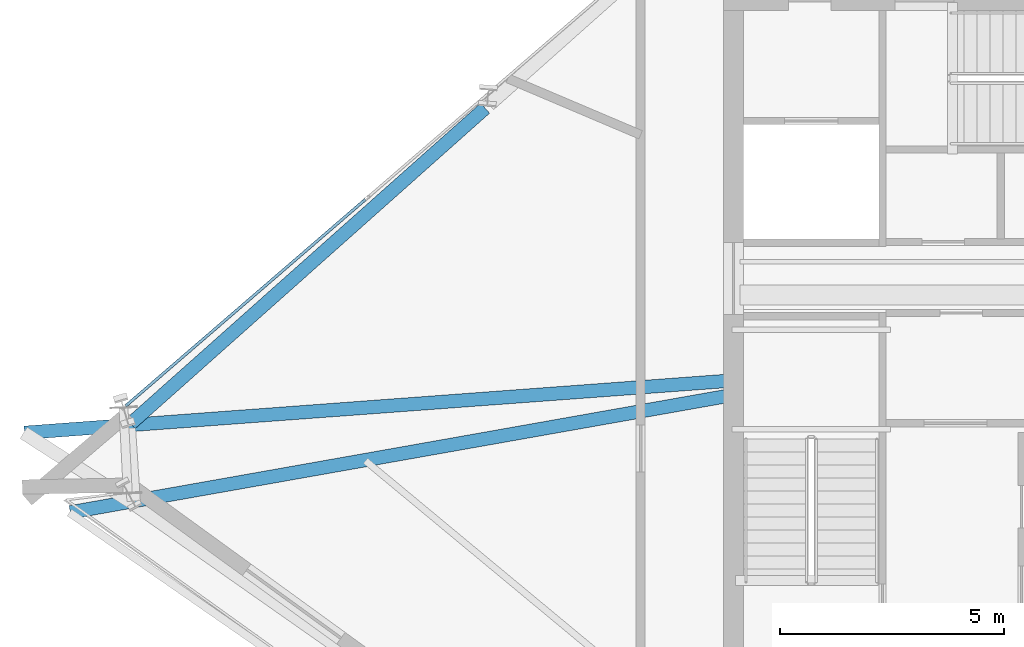
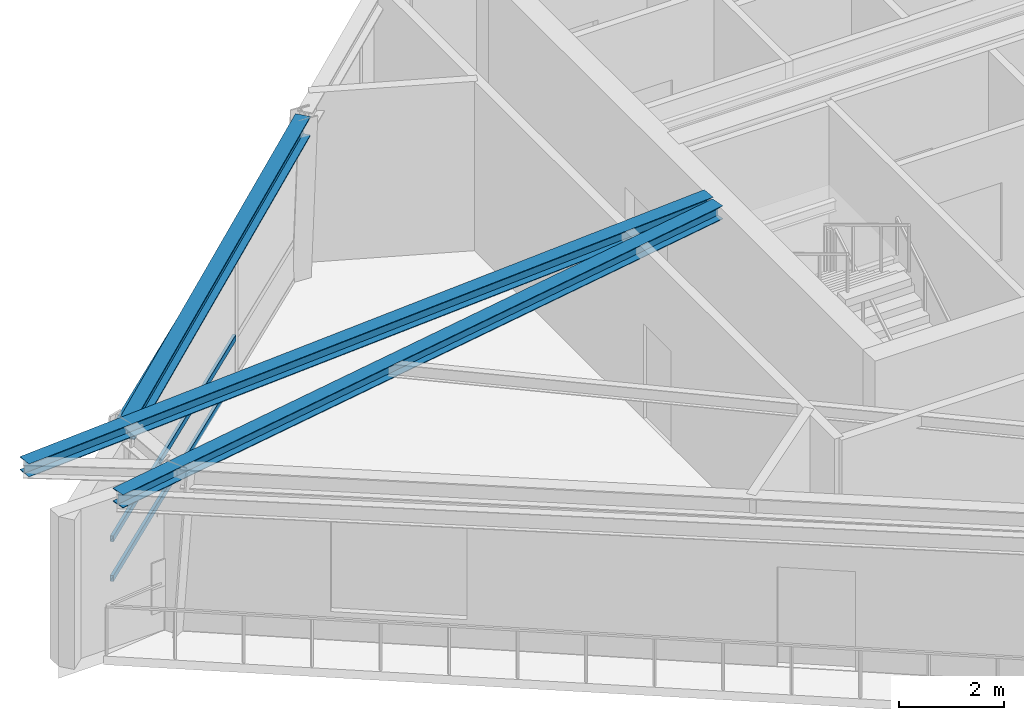
# One storey, part 7 of 22: 3 beams, 3 members, 1 element without a shape of its own.
"""IFC4 building model written with IfcOpenShell, lengths in metres."""

import ifcopenshell
import ifcopenshell.guid

model = None  # the IFC model being written
_history = None  # IfcOwnerHistory: only IFC2X3 demands one
_inside = {}  # id of a spatial element -> (the spatial element, [elements in it])
_under = {}  # id of a project, library or spatial element -> (it, [spatial elements below it])
_declared = {}  # id of a project -> (the project, [libraries it declares])
_typed = {}  # id of a type object -> (the type object, [elements of that type])
_made_of = {}  # id of a material, layer set ... -> (it, [elements and type objects made of it])


def new_model(schema):
    """Start an empty IFC model of exactly this schema.

    Asked for "IFC4X3", IfcOpenShell would pick the latest addendum, in which some entities
    have other attributes; the version numbers below select the first issue.
    IFC2X3 requires an IfcOwnerHistory on every rooted entity: one is made here for all.
    """
    global model, _history
    if schema == "IFC4X3":
        model = ifcopenshell.file(schema_version=(4, 3, 0, 0))
    else:
        model = ifcopenshell.file(schema=schema)
    _inside.clear()
    _under.clear()
    _declared.clear()
    _typed.clear()
    _made_of.clear()
    _history = None
    if model.schema == "IFC2X3":
        org = make("IfcOrganization", Name="unknown")
        user = make(
            "IfcPersonAndOrganization",
            ThePerson=make("IfcPerson", FamilyName="unknown"),
            TheOrganization=org,
        )
        app = make(
            "IfcApplication",
            ApplicationDeveloper=org,
            Version="unknown",
            ApplicationFullName="unknown",
            ApplicationIdentifier="unknown",
        )
        _history = make(
            "IfcOwnerHistory",
            OwningUser=user,
            OwningApplication=app,
            ChangeAction="ADDED",
            CreationDate=0,
        )
    return model


def make(cls, **values):
    """One entity of the class cls with the attributes given. An attribute that is None is left unset."""
    return model.create_entity(
        cls, **{name: value for name, value in values.items() if value is not None}
    )


def rooted(cls, **values):
    """An entity with a GlobalId (a new one), such as an element, a storey or a relation."""
    return make(cls, GlobalId=ifcopenshell.guid.new(), OwnerHistory=_history, **values)


def si_unit(unit_type, name, prefix=None):
    """IfcSIUnit, for example si_unit("LENGTHUNIT", "METRE", prefix="MILLI")."""
    return make("IfcSIUnit", UnitType=unit_type, Prefix=prefix, Name=name)


def assignment(units):
    """IfcUnitAssignment: the units of a project."""
    return None if units is None else make("IfcUnitAssignment", Units=units)


def point(xyz):
    """IfcCartesianPoint."""
    return None if xyz is None else make("IfcCartesianPoint", Coordinates=xyz)


def direction(xyz):
    """IfcDirection."""
    return None if xyz is None else make("IfcDirection", DirectionRatios=xyz)


def frame(location, z_axis=None, x_axis=None):
    """IfcAxis2Placement3D, a coordinate frame: its origin and axes. An axis left out is left unset."""
    return make(
        "IfcAxis2Placement3D",
        Location=point(location),
        Axis=direction(z_axis),
        RefDirection=direction(x_axis),
    )


def frame_2d(location, x_axis=None):
    """IfcAxis2Placement2D, a coordinate frame in the plane: its origin and x axis."""
    return make(
        "IfcAxis2Placement2D", Location=point(location), RefDirection=direction(x_axis)
    )


def origin():
    """The frame at (0, 0, 0) with its axes left unset."""
    return frame((0.0, 0.0, 0.0))


def origin_2d():
    """The frame at (0, 0) in the plane with its x axis left unset."""
    return frame_2d((0.0, 0.0))


def place(relative_to, where):
    """IfcLocalPlacement: puts the frame where relative to a parent placement (None: the world)."""
    return make(
        "IfcLocalPlacement", PlacementRelTo=relative_to, RelativePlacement=where
    )


def context(
    kind, dimensions, precision=None, world=None, true_north=None, identifier=None
):
    """IfcGeometricRepresentationContext, for example the 3D "Model" context."""
    return make(
        "IfcGeometricRepresentationContext",
        ContextIdentifier=identifier,
        ContextType=kind,
        CoordinateSpaceDimension=dimensions,
        Precision=precision,
        WorldCoordinateSystem=world,
        TrueNorth=true_north,
    )


def subcontext(parent, identifier, kind, view, scale=None):
    """IfcGeometricRepresentationSubContext, for example "Body" below "Model"."""
    return make(
        "IfcGeometricRepresentationSubContext",
        ContextIdentifier=identifier,
        ContextType=kind,
        ParentContext=parent,
        TargetScale=scale,
        TargetView=view,
    )


def project(units=None, contexts=None):
    """IfcProject with its units and contexts."""
    return rooted(
        "IfcProject",
        Name="project",
        RepresentationContexts=contexts,
        UnitsInContext=assignment(units),
    )


def spatial(cls, under=None, at=None, **own):
    """A site, building, storey or space (cls), placed at a placement, below another one or the project."""
    s = rooted(cls, ObjectPlacement=at, **own)
    if under is not None:
        _under.setdefault(under.id(), (under, []))[1].append(s)
    return s


def profile(cls, at=None, kind="AREA", **sizes):
    """A parametric profile (cls). Its sizes go by their IFC names, for example OverallWidth=200.0."""
    return make(cls, ProfileType=kind, Position=at, **sizes)


def hollow_rectangle(**sizes):
    """IfcRectangleHollowProfileDef."""
    return profile("IfcRectangleHollowProfileDef", **sizes)


def i_section(**sizes):
    """IfcIShapeProfileDef."""
    return profile("IfcIShapeProfileDef", **sizes)


def extrude(swept, where, along, depth):
    """IfcExtrudedAreaSolid: the profile swept, set in the frame where, extruded along a direction by depth."""
    return make(
        "IfcExtrudedAreaSolid",
        SweptArea=swept,
        Position=where,
        ExtrudedDirection=direction(along),
        Depth=depth,
    )


def shape(context_of_items, identifier, shape_type, items):
    """IfcShapeRepresentation: the items that make up one representation, for example the "Body"."""
    return make(
        "IfcShapeRepresentation",
        ContextOfItems=context_of_items,
        RepresentationIdentifier=identifier,
        RepresentationType=shape_type,
        Items=items,
    )


def source(mapping_origin, context_of_items, identifier, shape_type, items):
    """IfcRepresentationMap: a shape defined once, which mapped items show again and again."""
    return make(
        "IfcRepresentationMap",
        MappingOrigin=mapping_origin,
        MappedRepresentation=shape(context_of_items, identifier, shape_type, items),
    )


def transform(
    local_origin,
    x_axis=None,
    y_axis=None,
    z_axis=None,
    scale=None,
    scale2=None,
    scale3=None,
    uniform=True,
):
    """IfcCartesianTransformationOperator3D, or its non-uniform kind. x_axis, y_axis, z_axis: its Axis1, 2, 3."""
    if uniform:
        return make(
            "IfcCartesianTransformationOperator3D",
            Axis1=direction(x_axis),
            Axis2=direction(y_axis),
            LocalOrigin=point(local_origin),
            Scale=scale,
            Axis3=direction(z_axis),
        )
    return make(
        "IfcCartesianTransformationOperator3DnonUniform",
        Axis1=direction(x_axis),
        Axis2=direction(y_axis),
        LocalOrigin=point(local_origin),
        Scale=scale,
        Axis3=direction(z_axis),
        Scale2=scale2,
        Scale3=scale3,
    )


def mapped(mapping_source, mapping_target):
    """IfcMappedItem: shows the shape of a source again, moved by a transform."""
    return make(
        "IfcMappedItem", MappingSource=mapping_source, MappingTarget=mapping_target
    )


def material(Name=None, Category=None):
    """IfcMaterial."""
    return make("IfcMaterial", Name=Name, Category=Category)


def material_profile(
    of_material, cross_section, Name=None, Category=None, Priority=None
):
    """IfcMaterialProfile: a cross section and its material."""
    return make(
        "IfcMaterialProfile",
        Name=Name,
        Material=of_material,
        Profile=cross_section,
        Priority=Priority,
        Category=Category,
    )


def profile_set(profiles, Name=None, composite=None):
    """IfcMaterialProfileSet."""
    return make(
        "IfcMaterialProfileSet",
        Name=Name,
        MaterialProfiles=profiles,
        CompositeProfile=composite,
    )


def made_of(thing, what):
    """Note that an element or type object is made of a material, layer set ...; save() writes the relation."""
    if what is not None:
        _made_of.setdefault(what.id(), (what, []))[1].append(thing)
    return thing


def type_object(cls, material=None, **own):
    """A type object (cls), such as IfcWallType, which elements share."""
    return made_of(rooted(cls, **own), material)


def element(
    cls,
    number,
    at=None,
    inside=None,
    cuts=None,
    type_object=None,
    material=None,
    context=None,
    identifier="Body",
    shape_type=None,
    held_by="IfcProductDefinitionShape",
    body=None,
    shapes=None,
    **own,
):
    """One element of the class cls, such as IfcWall. Its Tag is "e" and its number.

    at: its placement. inside: the storey or other place that contains it. cuts: it is an
    opening in that element (IfcRelVoidsElement). A single representation is given by context,
    identifier, shape_type and body (its items); several are given by shapes. held_by: the class
    of the entity that holds the representations. save() writes the other relations.
    """
    e = rooted(cls, Tag="e%d" % number, ObjectPlacement=at, **own)
    if body is not None:
        shapes = [shape(context, identifier, shape_type, body)]
    if shapes is not None:
        e.Representation = make(held_by, Representations=shapes)
    if inside is not None:
        _inside.setdefault(inside.id(), (inside, []))[1].append(e)
    if cuts is not None:
        rooted(
            "IfcRelVoidsElement", RelatingBuildingElement=cuts, RelatedOpeningElement=e
        )
    if type_object is not None:
        _typed.setdefault(type_object.id(), (type_object, []))[1].append(e)
    return made_of(e, material)


def aggregate(whole, parts):
    """IfcRelAggregates: a whole, such as a stair, and the parts it consists of."""
    return rooted("IfcRelAggregates", RelatingObject=whole, RelatedObjects=parts)


def save(model, path):
    """Write the relations noted so far, then the file.

    IfcRelAggregates (storeys below a building ...), IfcRelContainedInSpatialStructure (elements
    in a storey), IfcRelDefinesByType, IfcRelAssociatesMaterial and IfcRelDeclares: one each for
    every whole, place, type object, material and project.
    """
    for whole, parts in _under.values():
        aggregate(whole, parts)
    for where, things in _inside.values():
        rooted(
            "IfcRelContainedInSpatialStructure",
            RelatedElements=things,
            RelatingStructure=where,
        )
    for kind, things in _typed.values():
        rooted("IfcRelDefinesByType", RelatedObjects=things, RelatingType=kind)
    for what, things in _made_of.values():
        rooted("IfcRelAssociatesMaterial", RelatedObjects=things, RelatingMaterial=what)
    for by, libraries in _declared.values():
        rooted("IfcRelDeclares", RelatingContext=by, RelatedDefinitions=libraries)
    model.write(path)


model = new_model("IFC4")

# Units and contexts
model_context = context("Model", 3, precision=1e-05, world=origin(), true_north=direction((0.0, 1.0)))
body_context = subcontext(model_context, "Body", "Model", "MODEL_VIEW")
ifc_project = project(units=[si_unit("LENGTHUNIT", "METRE"), si_unit("AREAUNIT", "SQUARE_METRE"), si_unit("VOLUMEUNIT", "CUBIC_METRE"), si_unit("PLANEANGLEUNIT", "RADIAN"), si_unit("MASSUNIT", "GRAM", prefix="KILO")], contexts=[model_context])

# Site, building, storey
site_placement = place(None, origin())
site = spatial("IfcSite", under=ifc_project, at=site_placement, CompositionType="ELEMENT")
building_placement = place(site_placement, origin())
building = spatial("IfcBuilding", under=site, at=building_placement, Name="Olszyna Solenne Hotel", CompositionType="ELEMENT")
storey_placement = place(building_placement, frame((0.0, 0.0, 281.89990234375)))
storey = spatial("IfcBuildingStorey", under=building, at=storey_placement, Name="L75", CompositionType="ELEMENT", Elevation=281.89990234375)

# Beams
ifc_material_1 = material(Name="Steel S355J2", Category="steel")
ifc_material_profile_1 = material_profile(ifc_material_1, i_section(OverallWidth=0.300048828125, OverallDepth=0.449951171875, WebThickness=0.013916015625, FlangeThickness=0.02587890625, at=origin_2d()), Name="HEB 450", Category="load-bearing")
ifc_profile_set_1 = profile_set([ifc_material_profile_1], Name="Steel S355J2")
beam_type_1 = type_object("IfcBeamType", Name="BM-S4", PredefinedType="BEAM", material=ifc_profile_set_1)
shared_shape_1 = source(origin(), body_context, "Body", "SweptSolid", [
    extrude(i_section(OverallWidth=0.300048828125, OverallDepth=0.449951171875, WebThickness=0.013916015625, FlangeThickness=0.02587890625, at=origin_2d()), origin(), (0.0, 0.0, 1.0), 10.59423828125),
])
beam_1_placement = place(storey_placement, frame((24.327880859375, 31.524169921875, 3.695068359375), z_axis=(-0.747022674011, -0.66479855935, 0.0), x_axis=(0.66479855935, -0.747022674011, 0.0)))
element("IfcBeam", 1, at=beam_1_placement, inside=storey, type_object=beam_type_1, Name="Perimeter spandrel beam BM-S4 B-L75-2199", PredefinedType="BEAM", context=body_context, shape_type="MappedRepresentation", body=[
    mapped(shared_shape_1, transform((0.0, 0.0, 0.0), x_axis=(1.0, 0.0, 0.0), y_axis=(0.0, 1.0, 0.0), z_axis=(0.0, 0.0, 1.0), scale=1.0)),
])
ifc_material_profile_2 = material_profile(ifc_material_1, i_section(OverallWidth=0.300048828125, OverallDepth=0.31005859375, WebThickness=0.009033203125, FlangeThickness=0.015380859375, at=origin_2d()), Name="HEA 320", Category="load-bearing")
ifc_profile_set_2 = profile_set([ifc_material_profile_2], Name="Steel S355J2")
beam_type_2 = type_object("IfcBeamType", Name="BM-G3", PredefinedType="BEAM", material=ifc_profile_set_2)
shared_shape_2 = source(origin(), body_context, "Body", "SweptSolid", [
    extrude(i_section(OverallWidth=0.300048828125, OverallDepth=0.31005859375, WebThickness=0.009033203125, FlangeThickness=0.015380859375, at=origin_2d()), origin(), (0.0, 0.0, 1.0), 15.697509765625),
])
beam_2_placement = place(storey_placement, frame((14.044677734375, 24.277099609375, 3.76513671875), z_axis=(0.997284660367, 0.073643100135, 0.0), x_axis=(-0.073643100135, 0.997284660367, 0.0)))
element("IfcBeam", 2, at=beam_2_placement, inside=storey, type_object=beam_type_2, Name="Radial floor girder BM-G3 B-L75-2211", PredefinedType="BEAM", context=body_context, shape_type="MappedRepresentation", body=[
    mapped(shared_shape_2, transform((0.0, 0.0, 0.0), x_axis=(1.0, 0.0, 0.0), y_axis=(0.0, 1.0, 0.0), z_axis=(0.0, 0.0, 1.0), scale=1.0)),
])
shared_shape_3 = source(origin(), body_context, "Body", "SweptSolid", [
    extrude(i_section(OverallWidth=0.300048828125, OverallDepth=0.31005859375, WebThickness=0.009033203125, FlangeThickness=0.015380859375, at=origin_2d()), origin(), (0.0, 0.0, 1.0), 14.860595703125),
])
beam_3_placement = place(storey_placement, frame((15.06640625, 22.500732421875, 3.76513671875), z_axis=(0.984670721663, 0.17442353597, 0.0), x_axis=(-0.17442353597, 0.984670721663, 0.0)))
element("IfcBeam", 3, at=beam_3_placement, inside=storey, type_object=beam_type_2, Name="Radial floor girder BM-G3 B-L75-2212", PredefinedType="BEAM", context=body_context, shape_type="MappedRepresentation", body=[
    mapped(shared_shape_3, transform((0.0, 0.0, 0.0), x_axis=(1.0, 0.0, 0.0), y_axis=(0.0, 1.0, 0.0), z_axis=(0.0, 0.0, 1.0), scale=1.0)),
])

# Curtain wall, members
ifc_material_2 = material(Name="Anodised bronze aluminium", Category="aluminium")
curtain_wall_type = type_object("IfcCurtainWallType", Name="CW-SYS-7", PredefinedType="NOTDEFINED", material=ifc_material_2)
curtain_wall_placement = place(storey_placement, origin())
curtain_wall = element("IfcCurtainWall", 4, at=curtain_wall_placement, inside=storey, type_object=curtain_wall_type, Name="Unitised curtain wall CW-SYS-7 CW-L75-02", PredefinedType="NOTDEFINED")
ifc_material_profile_3 = material_profile(ifc_material_2, hollow_rectangle(XDim=0.06494140625, YDim=0.139892578125, WallThickness=0.00390625, at=origin_2d()), Name="TRAN 140x65x4", Category="load-bearing")
ifc_profile_set_3 = profile_set([ifc_material_profile_3], Name="Anodised bronze aluminium")
member_type = type_object("IfcMemberType", Name="CW-T2", PredefinedType="USERDEFINED", material=ifc_profile_set_3)
shared_shape_4 = source(origin(), body_context, "Body", "SweptSolid", [
    extrude(hollow_rectangle(XDim=0.06494140625, YDim=0.139892578125, WallThickness=0.00390625, at=origin_2d()), origin(), (0.0, 0.0, 1.0), 7.0654296875),
])
member_1_placement = place(storey_placement, frame((16.302490234375, 24.875, 0.03271484375), z_axis=(0.757500111493, 0.652835033594, 0.0), x_axis=(-0.652835033594, 0.757500111493, 0.0)))
member_1 = element("IfcMember", 5, at=member_1_placement, type_object=member_type, Name="Curtain-wall transom CW-T2 CT-L75-02-01", ObjectType="TRANSOM", PredefinedType="USERDEFINED", context=body_context, shape_type="MappedRepresentation", body=[
    mapped(shared_shape_4, transform((0.0, 0.0, 0.0), x_axis=(1.0, 0.0, 0.0), y_axis=(0.0, 1.0, 0.0), z_axis=(0.0, 0.0, 1.0), scale=1.0)),
])
member_2_placement = place(storey_placement, frame((16.302490234375, 24.875, 0.9501953125), z_axis=(0.757500111493, 0.652835033594, 0.0), x_axis=(-0.652835033594, 0.757500111493, 0.0)))
member_2 = element("IfcMember", 6, at=member_2_placement, type_object=member_type, Name="Curtain-wall transom CW-T2 CT-L75-02-02", ObjectType="TRANSOM", PredefinedType="USERDEFINED", context=body_context, shape_type="MappedRepresentation", body=[
    mapped(shared_shape_4, transform((0.0, 0.0, 0.0), x_axis=(1.0, 0.0, 0.0), y_axis=(0.0, 1.0, 0.0), z_axis=(0.0, 0.0, 1.0), scale=1.0)),
])
member_3_placement = place(storey_placement, frame((16.302490234375, 24.875, 3.4296875), z_axis=(0.757500111493, 0.652835033594, 0.0), x_axis=(-0.652835033594, 0.757500111493, 0.0)))
member_3 = element("IfcMember", 7, at=member_3_placement, type_object=member_type, Name="Curtain-wall transom CW-T2 CT-L75-02-03", ObjectType="TRANSOM", PredefinedType="USERDEFINED", context=body_context, shape_type="MappedRepresentation", body=[
    mapped(shared_shape_4, transform((0.0, 0.0, 0.0), x_axis=(1.0, 0.0, 0.0), y_axis=(0.0, 1.0, 0.0), z_axis=(0.0, 0.0, 1.0), scale=1.0)),
])
aggregate(curtain_wall, [member_1, member_2, member_3])

save(model, "model.ifc")
